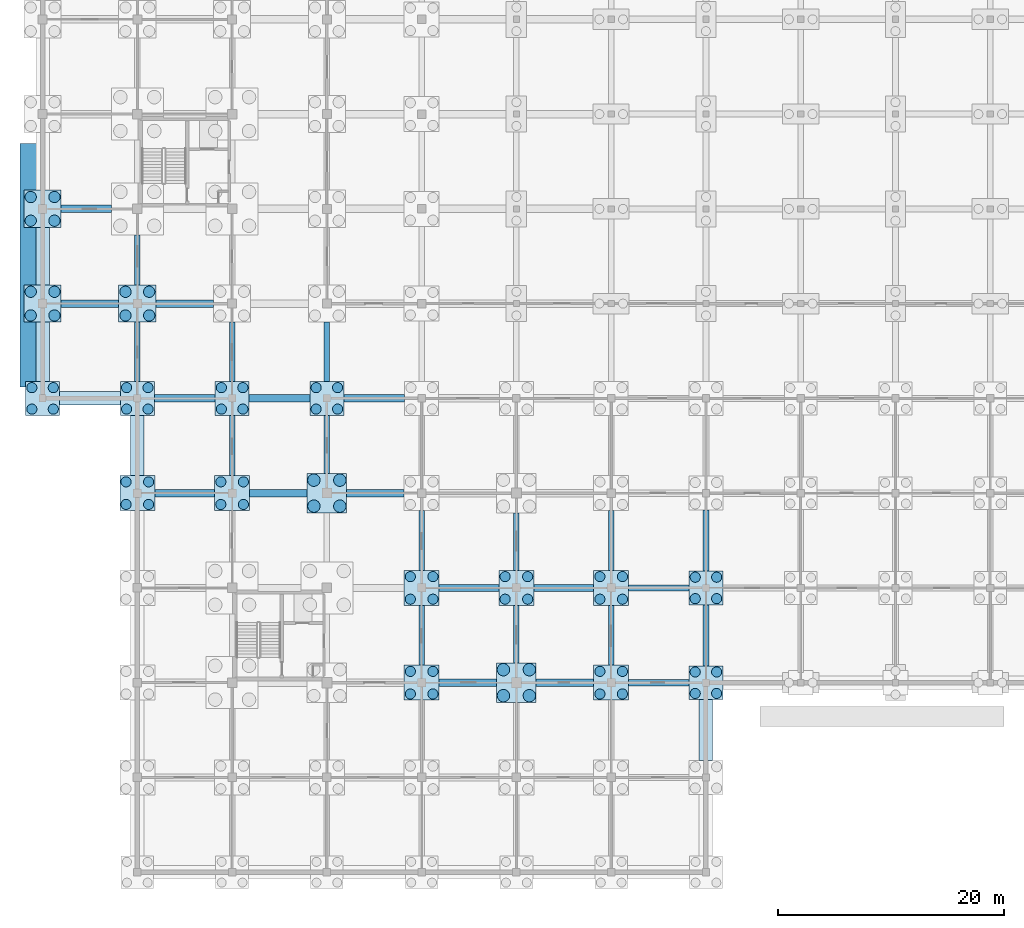
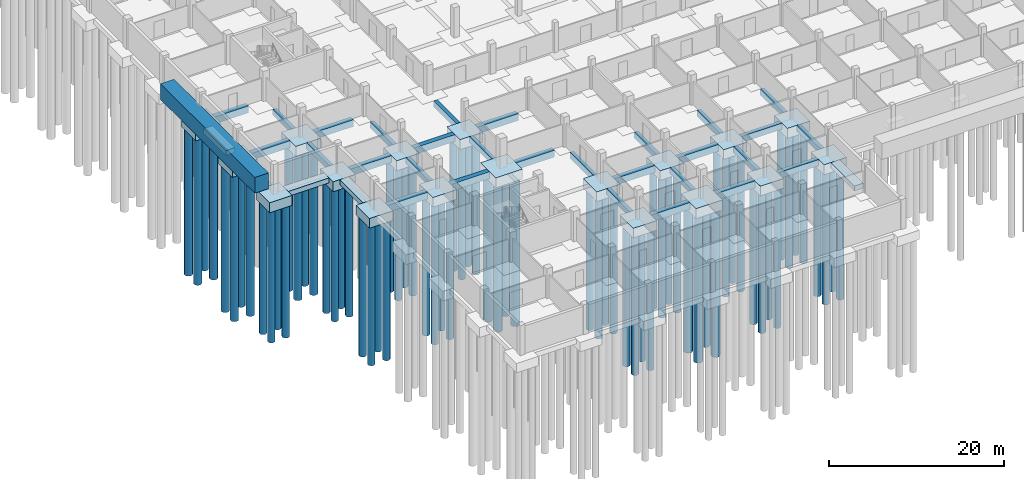
# One storey, part 2 of 43: 72 piles, 53 footings.
"""IFC4 building model written with IfcOpenShell, lengths in metres."""

from ifc_helpers import new_model, si_unit, direction, frame, origin, origin_2d, place, context, subcontext, project, spatial, rectangle, circle, extrude, material, material_profile, profile_set, type_object, element, save


model = new_model("IFC4")

# Units and contexts
model_context = context("Model", 3, precision=1e-05, world=origin(), true_north=direction((0.0, 1.0)))
body_context = subcontext(model_context, "Body", "Model", "MODEL_VIEW")
ifc_project = project(units=[si_unit("LENGTHUNIT", "METRE"), si_unit("AREAUNIT", "SQUARE_METRE"), si_unit("VOLUMEUNIT", "CUBIC_METRE"), si_unit("PLANEANGLEUNIT", "RADIAN"), si_unit("MASSUNIT", "GRAM", prefix="KILO")], contexts=[model_context])

# Site, building, storey
site_placement = place(None, origin())
site = spatial("IfcSite", under=ifc_project, at=site_placement, CompositionType="ELEMENT")
building_placement = place(site_placement, origin())
building = spatial("IfcBuilding", under=site, at=building_placement, Name="Varnapada Polytechnic", CompositionType="ELEMENT")
storey_placement = place(building_placement, frame((0.0, 0.0, -4.199951171875)))
storey = spatial("IfcBuildingStorey", under=building, at=storey_placement, Name="B1", CompositionType="ELEMENT", Elevation=-4.199951171875)

# Piles
ifc_material = material(Name="Concrete C40/50", Category="concrete")
ifc_material_profile_1 = material_profile(ifc_material, circle(Radius=0.5, at=origin_2d()), Name="BP 1000")
ifc_profile_set_1 = profile_set([ifc_material_profile_1], Name="Concrete C40/50")
pile_type_1 = type_object("IfcPileType", Name="Bored Pile BP 1000", PredefinedType="BORED", material=ifc_profile_set_1)
for number, where, z_axis, x_axis, name in (
    (1, (-1.050048828125, 49.35009765625, -1.300048828125), (0.0, 0.0, -1.0), (1.0, 0.0, 0.0), "Bored pile P-01 under CAP-00-06 (1)"),
    (2, (1.050048828125, 49.35009765625, -1.300048828125), (0.0, 0.0, -1.0), (1.0, 0.0, 0.0), "Bored pile P-01 under CAP-00-06 (2)"),
    (3, (-1.050048828125, 51.449951171875, -1.300048828125), (0.0, 0.0, -1.0), (1.0, 0.0, 0.0), "Bored pile P-01 under CAP-00-06 (3)"),
    (4, (1.050048828125, 51.449951171875, -1.300048828125), (0.0, 0.0, -1.0), (1.0, 0.0, 0.0), "Bored pile P-01 under CAP-00-06 (4)"),
    (5, (-1.050048828125, 57.75, -1.300048828125), (0.0, 0.0, -1.0), (1.0, 0.0, 0.0), "Bored pile P-01 under CAP-00-07 (1)"),
    (6, (1.050048828125, 57.75, -1.300048828125), (0.0, 0.0, -1.0), (1.0, 0.0, 0.0), "Bored pile P-01 under CAP-00-07 (2)"),
    (7, (-1.050048828125, 59.85009765625, -1.300048828125), (0.0, 0.0, -1.0), (1.0, 0.0, 0.0), "Bored pile P-01 under CAP-00-07 (3)"),
    (8, (1.050048828125, 59.85009765625, -1.300048828125), (0.0, 0.0, -1.0), (1.0, 0.0, 0.0), "Bored pile P-01 under CAP-00-07 (4)"),
    (9, (7.35009765625, 49.35009765625, -1.300048828125), (0.0, 0.0, -1.0), (1.0, 0.0, 0.0), "Bored pile P-01 under CAP-01-06 (1)"),
    (10, (9.449951171875, 49.35009765625, -1.300048828125), (0.0, 0.0, -1.0), (1.0, 0.0, 0.0), "Bored pile P-01 under CAP-01-06 (2)"),
    (11, (7.35009765625, 51.449951171875, -1.300048828125), (0.0, 0.0, -1.0), (1.0, 0.0, 0.0), "Bored pile P-01 under CAP-01-06 (3)"),
    (12, (9.449951171875, 51.449951171875, -1.300048828125), (0.0, 0.0, -1.0), (1.0, 0.0, 0.0), "Bored pile P-01 under CAP-01-06 (4)"),
):
    element("IfcPile", number, at=place(storey_placement, frame(where, z_axis=z_axis, x_axis=x_axis)), inside=storey, type_object=pile_type_1, Name=name, PredefinedType="BORED", context=body_context, shape_type="SweptSolid", body=[
        extrude(circle(Radius=0.5, at=origin_2d()), origin(), (0.0, 0.0, 1.0), 20.5),
    ])
ifc_material_profile_2 = material_profile(ifc_material, circle(Radius=0.550048828125, at=origin_2d()), Name="BP 1100")
ifc_profile_set_2 = profile_set([ifc_material_profile_2], Name="Concrete C40/50")
pile_type_2 = type_object("IfcPileType", Name="Bored Pile BP 1100", PredefinedType="BORED", material=ifc_profile_set_2)
for number, where, z_axis, x_axis, name in (
    (13, (24.050048828125, 32.449951171875, -1.300048828125), (0.0, 0.0, -1.0), (1.0, 0.0, 0.0), "Bored pile P-04 under CAP-03-04 (1)"),
    (14, (26.35009765625, 32.449951171875, -1.300048828125), (0.0, 0.0, -1.0), (1.0, 0.0, 0.0), "Bored pile P-04 under CAP-03-04 (2)"),
    (15, (24.050048828125, 34.75, -1.300048828125), (0.0, 0.0, -1.0), (1.0, 0.0, 0.0), "Bored pile P-04 under CAP-03-04 (3)"),
    (16, (26.35009765625, 34.75, -1.300048828125), (0.0, 0.0, -1.0), (1.0, 0.0, 0.0), "Bored pile P-04 under CAP-03-04 (4)"),
    (17, (40.85009765625, 15.64990234375, -1.300048828125), (0.0, 0.0, -1.0), (1.0, 0.0, 0.0), "Bored pile P-04 under CAP-05-02 (1)"),
    (18, (43.14990234375, 15.64990234375, -1.300048828125), (0.0, 0.0, -1.0), (1.0, 0.0, 0.0), "Bored pile P-04 under CAP-05-02 (2)"),
    (19, (40.85009765625, 17.949951171875, -1.300048828125), (0.0, 0.0, -1.0), (1.0, 0.0, 0.0), "Bored pile P-04 under CAP-05-02 (3)"),
    (20, (43.14990234375, 17.949951171875, -1.300048828125), (0.0, 0.0, -1.0), (1.0, 0.0, 0.0), "Bored pile P-04 under CAP-05-02 (4)"),
):
    element("IfcPile", number, at=place(storey_placement, frame(where, z_axis=z_axis, x_axis=x_axis)), inside=storey, type_object=pile_type_2, Name=name, PredefinedType="BORED", context=body_context, shape_type="SweptSolid", body=[
        extrude(circle(Radius=0.550048828125, at=origin_2d()), origin(), (0.0, 0.0, 1.0), 20.5),
    ])
ifc_material_profile_3 = material_profile(ifc_material, circle(Radius=0.449951171875, at=origin_2d()), Name="BP 900")
ifc_profile_set_3 = profile_set([ifc_material_profile_3], Name="Concrete C40/50")
pile_type_3 = type_object("IfcPileType", Name="Bored Pile BP 900", PredefinedType="BORED", material=ifc_profile_set_3)
for number, where, z_axis, x_axis, name in (
    (21, (-0.949951171875, 41.050048828125, -1.300048828125), (0.0, 0.0, -1.0), (1.0, 0.0, 0.0), "Bored pile P-02 under CAP-00-05 (1)"),
    (22, (0.949951171875, 41.050048828125, -1.300048828125), (0.0, 0.0, -1.0), (1.0, 0.0, 0.0), "Bored pile P-02 under CAP-00-05 (2)"),
    (23, (-0.949951171875, 42.949951171875, -1.300048828125), (0.0, 0.0, -1.0), (1.0, 0.0, 0.0), "Bored pile P-02 under CAP-00-05 (3)"),
    (24, (0.949951171875, 42.949951171875, -1.300048828125), (0.0, 0.0, -1.0), (1.0, 0.0, 0.0), "Bored pile P-02 under CAP-00-05 (4)"),
):
    element("IfcPile", number, at=place(storey_placement, frame(where, z_axis=z_axis, x_axis=x_axis)), inside=storey, type_object=pile_type_3, Name=name, PredefinedType="BORED", context=body_context, shape_type="SweptSolid", body=[
        extrude(circle(Radius=0.449951171875, at=origin_2d()), origin(), (0.0, 0.0, 1.0), 18.5),
    ])
for number, where, z_axis, x_axis, name in (
    (25, (7.39990234375, 32.60009765625, -1.25), (0.0, 0.0, -1.0), (1.0, 0.0, 0.0), "Bored pile P-02 under CAP-01-04 (1)"),
    (26, (9.39990234375, 32.60009765625, -1.25), (0.0, 0.0, -1.0), (1.0, 0.0, 0.0), "Bored pile P-02 under CAP-01-04 (2)"),
    (27, (7.39990234375, 34.60009765625, -1.25), (0.0, 0.0, -1.0), (1.0, 0.0, 0.0), "Bored pile P-02 under CAP-01-04 (3)"),
    (28, (9.39990234375, 34.60009765625, -1.25), (0.0, 0.0, -1.0), (1.0, 0.0, 0.0), "Bored pile P-02 under CAP-01-04 (4)"),
):
    element("IfcPile", number, at=place(storey_placement, frame(where, z_axis=z_axis, x_axis=x_axis)), inside=storey, type_object=pile_type_3, Name=name, PredefinedType="BORED", context=body_context, shape_type="SweptSolid", body=[
        extrude(circle(Radius=0.449951171875, at=origin_2d()), origin(), (0.0, 0.0, 1.0), 19.550048828125),
    ])
for number, where, z_axis, x_axis, name in (
    (29, (7.449951171875, 41.050048828125, -1.300048828125), (0.0, 0.0, -1.0), (1.0, 0.0, 0.0), "Bored pile P-02 under CAP-01-05 (1)"),
    (30, (9.35009765625, 41.050048828125, -1.300048828125), (0.0, 0.0, -1.0), (1.0, 0.0, 0.0), "Bored pile P-02 under CAP-01-05 (2)"),
    (31, (7.449951171875, 42.949951171875, -1.300048828125), (0.0, 0.0, -1.0), (1.0, 0.0, 0.0), "Bored pile P-02 under CAP-01-05 (3)"),
    (32, (9.35009765625, 42.949951171875, -1.300048828125), (0.0, 0.0, -1.0), (1.0, 0.0, 0.0), "Bored pile P-02 under CAP-01-05 (4)"),
):
    element("IfcPile", number, at=place(storey_placement, frame(where, z_axis=z_axis, x_axis=x_axis)), inside=storey, type_object=pile_type_3, Name=name, PredefinedType="BORED", context=body_context, shape_type="SweptSolid", body=[
        extrude(circle(Radius=0.449951171875, at=origin_2d()), origin(), (0.0, 0.0, 1.0), 18.5),
    ])
for number, where, z_axis, x_axis, name in (
    (33, (15.800048828125, 32.60009765625, -1.25), (0.0, 0.0, -1.0), (1.0, 0.0, 0.0), "Bored pile P-02 under CAP-02-04 (1)"),
    (34, (17.800048828125, 32.60009765625, -1.25), (0.0, 0.0, -1.0), (1.0, 0.0, 0.0), "Bored pile P-02 under CAP-02-04 (2)"),
    (35, (15.800048828125, 34.60009765625, -1.25), (0.0, 0.0, -1.0), (1.0, 0.0, 0.0), "Bored pile P-02 under CAP-02-04 (3)"),
    (36, (17.800048828125, 34.60009765625, -1.25), (0.0, 0.0, -1.0), (1.0, 0.0, 0.0), "Bored pile P-02 under CAP-02-04 (4)"),
):
    element("IfcPile", number, at=place(storey_placement, frame(where, z_axis=z_axis, x_axis=x_axis)), inside=storey, type_object=pile_type_3, Name=name, PredefinedType="BORED", context=body_context, shape_type="SweptSolid", body=[
        extrude(circle(Radius=0.449951171875, at=origin_2d()), origin(), (0.0, 0.0, 1.0), 19.550048828125),
    ])
for number, where, z_axis, x_axis, name in (
    (37, (15.85009765625, 41.050048828125, -1.300048828125), (0.0, 0.0, -1.0), (1.0, 0.0, 0.0), "Bored pile P-02 under CAP-02-05 (1)"),
    (38, (17.75, 41.050048828125, -1.300048828125), (0.0, 0.0, -1.0), (1.0, 0.0, 0.0), "Bored pile P-02 under CAP-02-05 (2)"),
    (39, (15.85009765625, 42.949951171875, -1.300048828125), (0.0, 0.0, -1.0), (1.0, 0.0, 0.0), "Bored pile P-02 under CAP-02-05 (3)"),
    (40, (17.75, 42.949951171875, -1.300048828125), (0.0, 0.0, -1.0), (1.0, 0.0, 0.0), "Bored pile P-02 under CAP-02-05 (4)"),
    (41, (24.25, 41.050048828125, -1.300048828125), (0.0, 0.0, -1.0), (1.0, 0.0, 0.0), "Bored pile P-02 under CAP-03-05 (1)"),
    (42, (26.14990234375, 41.050048828125, -1.300048828125), (0.0, 0.0, -1.0), (1.0, 0.0, 0.0), "Bored pile P-02 under CAP-03-05 (2)"),
    (43, (24.25, 42.949951171875, -1.300048828125), (0.0, 0.0, -1.0), (1.0, 0.0, 0.0), "Bored pile P-02 under CAP-03-05 (3)"),
    (44, (26.14990234375, 42.949951171875, -1.300048828125), (0.0, 0.0, -1.0), (1.0, 0.0, 0.0), "Bored pile P-02 under CAP-03-05 (4)"),
):
    element("IfcPile", number, at=place(storey_placement, frame(where, z_axis=z_axis, x_axis=x_axis)), inside=storey, type_object=pile_type_3, Name=name, PredefinedType="BORED", context=body_context, shape_type="SweptSolid", body=[
        extrude(circle(Radius=0.449951171875, at=origin_2d()), origin(), (0.0, 0.0, 1.0), 18.5),
    ])
for number, where, z_axis, x_axis, name in (
    (45, (32.60009765625, 15.800048828125, -1.25), (0.0, 0.0, -1.0), (1.0, 0.0, 0.0), "Bored pile P-02 under CAP-04-02 (1)"),
    (46, (34.60009765625, 15.800048828125, -1.25), (0.0, 0.0, -1.0), (1.0, 0.0, 0.0), "Bored pile P-02 under CAP-04-02 (2)"),
    (47, (32.60009765625, 17.800048828125, -1.25), (0.0, 0.0, -1.0), (1.0, 0.0, 0.0), "Bored pile P-02 under CAP-04-02 (3)"),
    (48, (34.60009765625, 17.800048828125, -1.25), (0.0, 0.0, -1.0), (1.0, 0.0, 0.0), "Bored pile P-02 under CAP-04-02 (4)"),
    (49, (32.60009765625, 24.199951171875, -1.25), (0.0, 0.0, -1.0), (1.0, 0.0, 0.0), "Bored pile P-02 under CAP-04-03 (1)"),
    (50, (34.60009765625, 24.199951171875, -1.25), (0.0, 0.0, -1.0), (1.0, 0.0, 0.0), "Bored pile P-02 under CAP-04-03 (2)"),
    (51, (32.60009765625, 26.199951171875, -1.25), (0.0, 0.0, -1.0), (1.0, 0.0, 0.0), "Bored pile P-02 under CAP-04-03 (3)"),
    (52, (34.60009765625, 26.199951171875, -1.25), (0.0, 0.0, -1.0), (1.0, 0.0, 0.0), "Bored pile P-02 under CAP-04-03 (4)"),
    (53, (41.0, 24.199951171875, -1.25), (0.0, 0.0, -1.0), (1.0, 0.0, 0.0), "Bored pile P-02 under CAP-05-03 (1)"),
    (54, (43.0, 24.199951171875, -1.25), (0.0, 0.0, -1.0), (1.0, 0.0, 0.0), "Bored pile P-02 under CAP-05-03 (2)"),
    (55, (41.0, 26.199951171875, -1.25), (0.0, 0.0, -1.0), (1.0, 0.0, 0.0), "Bored pile P-02 under CAP-05-03 (3)"),
    (56, (43.0, 26.199951171875, -1.25), (0.0, 0.0, -1.0), (1.0, 0.0, 0.0), "Bored pile P-02 under CAP-05-03 (4)"),
    (57, (49.39990234375, 15.800048828125, -1.25), (0.0, 0.0, -1.0), (1.0, 0.0, 0.0), "Bored pile P-02 under CAP-06-02 (1)"),
    (58, (51.39990234375, 15.800048828125, -1.25), (0.0, 0.0, -1.0), (1.0, 0.0, 0.0), "Bored pile P-02 under CAP-06-02 (2)"),
    (59, (49.39990234375, 17.800048828125, -1.25), (0.0, 0.0, -1.0), (1.0, 0.0, 0.0), "Bored pile P-02 under CAP-06-02 (3)"),
    (60, (51.39990234375, 17.800048828125, -1.25), (0.0, 0.0, -1.0), (1.0, 0.0, 0.0), "Bored pile P-02 under CAP-06-02 (4)"),
    (61, (49.39990234375, 24.199951171875, -1.25), (0.0, 0.0, -1.0), (1.0, 0.0, 0.0), "Bored pile P-02 under CAP-06-03 (1)"),
    (62, (51.39990234375, 24.199951171875, -1.25), (0.0, 0.0, -1.0), (1.0, 0.0, 0.0), "Bored pile P-02 under CAP-06-03 (2)"),
    (63, (49.39990234375, 26.199951171875, -1.25), (0.0, 0.0, -1.0), (1.0, 0.0, 0.0), "Bored pile P-02 under CAP-06-03 (3)"),
    (64, (51.39990234375, 26.199951171875, -1.25), (0.0, 0.0, -1.0), (1.0, 0.0, 0.0), "Bored pile P-02 under CAP-06-03 (4)"),
):
    element("IfcPile", number, at=place(storey_placement, frame(where, z_axis=z_axis, x_axis=x_axis)), inside=storey, type_object=pile_type_3, Name=name, PredefinedType="BORED", context=body_context, shape_type="SweptSolid", body=[
        extrude(circle(Radius=0.449951171875, at=origin_2d()), origin(), (0.0, 0.0, 1.0), 19.550048828125),
    ])
for number, where, z_axis, x_axis, name in (
    (65, (57.85009765625, 15.85009765625, -1.300048828125), (0.0, 0.0, -1.0), (1.0, 0.0, 0.0), "Bored pile P-02 under CAP-07-02 (1)"),
    (66, (59.75, 15.85009765625, -1.300048828125), (0.0, 0.0, -1.0), (1.0, 0.0, 0.0), "Bored pile P-02 under CAP-07-02 (2)"),
    (67, (57.85009765625, 17.75, -1.300048828125), (0.0, 0.0, -1.0), (1.0, 0.0, 0.0), "Bored pile P-02 under CAP-07-02 (3)"),
    (68, (59.75, 17.75, -1.300048828125), (0.0, 0.0, -1.0), (1.0, 0.0, 0.0), "Bored pile P-02 under CAP-07-02 (4)"),
    (69, (57.85009765625, 24.25, -1.300048828125), (0.0, 0.0, -1.0), (1.0, 0.0, 0.0), "Bored pile P-02 under CAP-07-03 (1)"),
    (70, (59.75, 24.25, -1.300048828125), (0.0, 0.0, -1.0), (1.0, 0.0, 0.0), "Bored pile P-02 under CAP-07-03 (2)"),
    (71, (57.85009765625, 26.14990234375, -1.300048828125), (0.0, 0.0, -1.0), (1.0, 0.0, 0.0), "Bored pile P-02 under CAP-07-03 (3)"),
    (72, (59.75, 26.14990234375, -1.300048828125), (0.0, 0.0, -1.0), (1.0, 0.0, 0.0), "Bored pile P-02 under CAP-07-03 (4)"),
):
    element("IfcPile", number, at=place(storey_placement, frame(where, z_axis=z_axis, x_axis=x_axis)), inside=storey, type_object=pile_type_3, Name=name, PredefinedType="BORED", context=body_context, shape_type="SweptSolid", body=[
        extrude(circle(Radius=0.449951171875, at=origin_2d()), origin(), (0.0, 0.0, 1.0), 18.5),
    ])

# Footings
footing_type_1 = type_object("IfcFootingType", Name="Footing GB-02", PredefinedType="FOOTING_BEAM", material=ifc_material)
footing_1_placement = place(storey_placement, frame((8.39990234375, 46.125, -0.80029296875), z_axis=(0.0, 0.0, 1.0), x_axis=(0.0, 1.0, 0.0)))
element("IfcFooting", 73, at=footing_1_placement, inside=storey, type_object=footing_type_1, Name="Ground footing beam GB-02 Y 6-7", PredefinedType="FOOTING_BEAM", context=body_context, shape_type="SweptSolid", body=[
    extrude(rectangle(XDim=5.25, YDim=0.5, at=origin_2d()), origin(), (0.0, 0.0, 1.0), 0.800048828125),
])
footing_2_placement = place(storey_placement, frame((8.39990234375, 54.27490234375, -0.80029296875), z_axis=(0.0, 0.0, 1.0), x_axis=(0.0, 1.0, 0.0)))
element("IfcFooting", 74, at=footing_2_placement, inside=storey, type_object=footing_type_1, Name="Ground footing beam GB-02 Y 7-8", PredefinedType="FOOTING_BEAM", context=body_context, shape_type="SweptSolid", body=[
    extrude(rectangle(XDim=4.449951171875, YDim=0.5, at=origin_2d()), origin(), (0.0, 0.0, 1.0), 0.800048828125),
])
footing_3_placement = place(storey_placement, frame((16.800048828125, 37.824951171875, -0.80029296875), z_axis=(0.0, 0.0, 1.0), x_axis=(0.0, 1.0, 0.0)))
element("IfcFooting", 75, at=footing_3_placement, inside=storey, type_object=footing_type_1, Name="Ground footing beam GB-02 Y 5-6", PredefinedType="FOOTING_BEAM", context=body_context, shape_type="SweptSolid", body=[
    extrude(rectangle(XDim=5.35009765625, YDim=0.5, at=origin_2d()), origin(), (0.0, 0.0, 1.0), 0.800048828125),
])
footing_4_placement = place(storey_placement, frame((16.800048828125, 46.125, -0.80029296875), z_axis=(0.0, 0.0, 1.0), x_axis=(0.0, 1.0, 0.0)))
element("IfcFooting", 76, at=footing_4_placement, inside=storey, type_object=footing_type_1, Name="Ground footing beam GB-02 Y 6-7", PredefinedType="FOOTING_BEAM", context=body_context, shape_type="SweptSolid", body=[
    extrude(rectangle(XDim=5.25, YDim=0.5, at=origin_2d()), origin(), (0.0, 0.0, 1.0), 0.800048828125),
])
footing_5_placement = place(storey_placement, frame((25.199951171875, 37.925048828125, -0.80029296875), z_axis=(0.0, 0.0, 1.0), x_axis=(0.0, 1.0, 0.0)))
element("IfcFooting", 77, at=footing_5_placement, inside=storey, type_object=footing_type_1, Name="Ground footing beam GB-02 Y 5-6", PredefinedType="FOOTING_BEAM", context=body_context, shape_type="SweptSolid", body=[
    extrude(rectangle(XDim=5.14990234375, YDim=0.5, at=origin_2d()), origin(), (0.0, 0.0, 1.0), 0.800048828125),
])
footing_6_placement = place(storey_placement, frame((25.199951171875, 46.125, -0.80029296875), z_axis=(0.0, 0.0, 1.0), x_axis=(0.0, 1.0, 0.0)))
element("IfcFooting", 78, at=footing_6_placement, inside=storey, type_object=footing_type_1, Name="Ground footing beam GB-02 Y 6-7", PredefinedType="FOOTING_BEAM", context=body_context, shape_type="SweptSolid", body=[
    extrude(rectangle(XDim=5.25, YDim=0.5, at=origin_2d()), origin(), (0.0, 0.0, 1.0), 0.800048828125),
])
for number, where, z_axis, x_axis, name in (
    (79, (33.60009765625, 21.0, -0.80029296875), (0.0, 0.0, 1.0), (0.0, 1.0, 0.0), "Ground footing beam GB-02 Y 3-4"),
    (80, (33.60009765625, 29.39990234375, -0.80029296875), (0.0, 0.0, 1.0), (0.0, 1.0, 0.0), "Ground footing beam GB-02 Y 4-5"),
):
    element("IfcFooting", number, at=place(storey_placement, frame(where, z_axis=z_axis, x_axis=x_axis)), inside=storey, type_object=footing_type_1, Name=name, PredefinedType="FOOTING_BEAM", context=body_context, shape_type="SweptSolid", body=[
        extrude(rectangle(XDim=5.300048828125, YDim=0.5, at=origin_2d()), origin(), (0.0, 0.0, 1.0), 0.800048828125),
    ])
for number, where, z_axis, x_axis, name in (
    (81, (42.0, 21.10009765625, -0.80029296875), (0.0, 0.0, 1.0), (0.0, 1.0, 0.0), "Ground footing beam GB-02 Y 3-4"),
    (82, (42.0, 29.300048828125, -0.80029296875), (0.0, 0.0, 1.0), (0.0, 1.0, 0.0), "Ground footing beam GB-02 Y 4-5"),
):
    element("IfcFooting", number, at=place(storey_placement, frame(where, z_axis=z_axis, x_axis=x_axis)), inside=storey, type_object=footing_type_1, Name=name, PredefinedType="FOOTING_BEAM", context=body_context, shape_type="SweptSolid", body=[
        extrude(rectangle(XDim=5.10009765625, YDim=0.5, at=origin_2d()), origin(), (0.0, 0.0, 1.0), 0.800048828125),
    ])
for number, where, z_axis, x_axis, name in (
    (83, (50.39990234375, 21.0, -0.80029296875), (0.0, 0.0, 1.0), (0.0, 1.0, 0.0), "Ground footing beam GB-02 Y 3-4"),
    (84, (50.39990234375, 29.39990234375, -0.80029296875), (0.0, 0.0, 1.0), (0.0, 1.0, 0.0), "Ground footing beam GB-02 Y 4-5"),
):
    element("IfcFooting", number, at=place(storey_placement, frame(where, z_axis=z_axis, x_axis=x_axis)), inside=storey, type_object=footing_type_1, Name=name, PredefinedType="FOOTING_BEAM", context=body_context, shape_type="SweptSolid", body=[
        extrude(rectangle(XDim=5.300048828125, YDim=0.5, at=origin_2d()), origin(), (0.0, 0.0, 1.0), 0.800048828125),
    ])
for number, where, z_axis, x_axis, name in (
    (85, (58.800048828125, 21.0, -0.80029296875), (0.0, 0.0, 1.0), (0.0, 1.0, 0.0), "Ground footing beam GB-02 Y 3-4"),
    (86, (58.800048828125, 29.39990234375, -0.80029296875), (0.0, 0.0, 1.0), (0.0, 1.0, 0.0), "Ground footing beam GB-02 Y 4-5"),
):
    element("IfcFooting", number, at=place(storey_placement, frame(where, z_axis=z_axis, x_axis=x_axis)), inside=storey, type_object=footing_type_1, Name=name, PredefinedType="FOOTING_BEAM", context=body_context, shape_type="SweptSolid", body=[
        extrude(rectangle(XDim=5.39990234375, YDim=0.5, at=origin_2d()), origin(), (0.0, 0.0, 1.0), 0.800048828125),
    ])
footing_type_2 = type_object("IfcFootingType", Name="Footing GB-03", PredefinedType="FOOTING_BEAM", material=ifc_material)
footing_7_placement = place(storey_placement, frame((4.199951171875, 50.39990234375, -0.9501953125), z_axis=(0.0, 0.0, 1.0), x_axis=(1.0, 0.0, 0.0)))
element("IfcFooting", 87, at=footing_7_placement, inside=storey, type_object=footing_type_2, Name="Ground footing beam GB-03 X 1-2", PredefinedType="FOOTING_BEAM", context=body_context, shape_type="SweptSolid", body=[
    extrude(rectangle(XDim=5.10009765625, YDim=0.64990234375, at=origin_2d()), origin(), (0.0, 0.0, 1.0), 0.949951171875),
])
footing_8_placement = place(storey_placement, frame((3.875, 58.800048828125, -0.9501953125), z_axis=(0.0, 0.0, 1.0), x_axis=(1.0, 0.0, 0.0)))
element("IfcFooting", 88, at=footing_8_placement, inside=storey, type_object=footing_type_2, Name="Ground footing beam GB-03 X 1-2", PredefinedType="FOOTING_BEAM", context=body_context, shape_type="SweptSolid", body=[
    extrude(rectangle(XDim=4.449951171875, YDim=0.64990234375, at=origin_2d()), origin(), (0.0, 0.0, 1.0), 0.949951171875),
])
footing_9_placement = place(storey_placement, frame((12.60009765625, 33.60009765625, -0.9501953125), z_axis=(0.0, 0.0, 1.0), x_axis=(1.0, 0.0, 0.0)))
element("IfcFooting", 89, at=footing_9_placement, inside=storey, type_object=footing_type_2, Name="Ground footing beam GB-03 X 2-3", PredefinedType="FOOTING_BEAM", context=body_context, shape_type="SweptSolid", body=[
    extrude(rectangle(XDim=5.300048828125, YDim=0.64990234375, at=origin_2d()), origin(), (0.0, 0.0, 1.0), 0.949951171875),
])
footing_10_placement = place(storey_placement, frame((12.60009765625, 42.0, -0.9501953125), z_axis=(0.0, 0.0, 1.0), x_axis=(1.0, 0.0, 0.0)))
element("IfcFooting", 90, at=footing_10_placement, inside=storey, type_object=footing_type_2, Name="Ground footing beam GB-03 X 2-3", PredefinedType="FOOTING_BEAM", context=body_context, shape_type="SweptSolid", body=[
    extrude(rectangle(XDim=5.39990234375, YDim=0.64990234375, at=origin_2d()), origin(), (0.0, 0.0, 1.0), 0.949951171875),
])
for number, where, z_axis, x_axis, name in (
    (91, (12.60009765625, 50.39990234375, -0.9501953125), (0.0, 0.0, 1.0), (1.0, 0.0, 0.0), "Ground footing beam GB-03 X 2-3"),
    (92, (20.89990234375, 33.60009765625, -0.9501953125), (0.0, 0.0, 1.0), (1.0, 0.0, 0.0), "Ground footing beam GB-03 X 3-4"),
):
    element("IfcFooting", number, at=place(storey_placement, frame(where, z_axis=z_axis, x_axis=x_axis)), inside=storey, type_object=footing_type_2, Name=name, PredefinedType="FOOTING_BEAM", context=body_context, shape_type="SweptSolid", body=[
        extrude(rectangle(XDim=5.10009765625, YDim=0.64990234375, at=origin_2d()), origin(), (0.0, 0.0, 1.0), 0.949951171875),
    ])
footing_11_placement = place(storey_placement, frame((21.0, 42.0, -0.9501953125), z_axis=(0.0, 0.0, 1.0), x_axis=(1.0, 0.0, 0.0)))
element("IfcFooting", 93, at=footing_11_placement, inside=storey, type_object=footing_type_2, Name="Ground footing beam GB-03 X 3-4", PredefinedType="FOOTING_BEAM", context=body_context, shape_type="SweptSolid", body=[
    extrude(rectangle(XDim=5.39990234375, YDim=0.64990234375, at=origin_2d()), origin(), (0.0, 0.0, 1.0), 0.949951171875),
])
footing_12_placement = place(storey_placement, frame((29.5, 33.60009765625, -0.9501953125), z_axis=(0.0, 0.0, 1.0), x_axis=(1.0, 0.0, 0.0)))
element("IfcFooting", 94, at=footing_12_placement, inside=storey, type_object=footing_type_2, Name="Ground footing beam GB-03 X 4-5", PredefinedType="FOOTING_BEAM", context=body_context, shape_type="SweptSolid", body=[
    extrude(rectangle(XDim=5.10009765625, YDim=0.64990234375, at=origin_2d()), origin(), (0.0, 0.0, 1.0), 0.949951171875),
])
footing_13_placement = place(storey_placement, frame((29.39990234375, 42.0, -0.9501953125), z_axis=(0.0, 0.0, 1.0), x_axis=(1.0, 0.0, 0.0)))
element("IfcFooting", 95, at=footing_13_placement, inside=storey, type_object=footing_type_2, Name="Ground footing beam GB-03 X 4-5", PredefinedType="FOOTING_BEAM", context=body_context, shape_type="SweptSolid", body=[
    extrude(rectangle(XDim=5.39990234375, YDim=0.64990234375, at=origin_2d()), origin(), (0.0, 0.0, 1.0), 0.949951171875),
])
footing_14_placement = place(storey_placement, frame((37.699951171875, 16.800048828125, -0.9501953125), z_axis=(0.0, 0.0, 1.0), x_axis=(1.0, 0.0, 0.0)))
element("IfcFooting", 96, at=footing_14_placement, inside=storey, type_object=footing_type_2, Name="Ground footing beam GB-03 X 5-6", PredefinedType="FOOTING_BEAM", context=body_context, shape_type="SweptSolid", body=[
    extrude(rectangle(XDim=5.10009765625, YDim=0.64990234375, at=origin_2d()), origin(), (0.0, 0.0, 1.0), 0.949951171875),
])
footing_15_placement = place(storey_placement, frame((37.800048828125, 25.199951171875, -0.9501953125), z_axis=(0.0, 0.0, 1.0), x_axis=(1.0, 0.0, 0.0)))
element("IfcFooting", 97, at=footing_15_placement, inside=storey, type_object=footing_type_2, Name="Ground footing beam GB-03 X 5-6", PredefinedType="FOOTING_BEAM", context=body_context, shape_type="SweptSolid", body=[
    extrude(rectangle(XDim=5.300048828125, YDim=0.64990234375, at=origin_2d()), origin(), (0.0, 0.0, 1.0), 0.949951171875),
])
footing_16_placement = place(storey_placement, frame((46.300048828125, 16.800048828125, -0.9501953125), z_axis=(0.0, 0.0, 1.0), x_axis=(1.0, 0.0, 0.0)))
element("IfcFooting", 98, at=footing_16_placement, inside=storey, type_object=footing_type_2, Name="Ground footing beam GB-03 X 6-7", PredefinedType="FOOTING_BEAM", context=body_context, shape_type="SweptSolid", body=[
    extrude(rectangle(XDim=5.10009765625, YDim=0.64990234375, at=origin_2d()), origin(), (0.0, 0.0, 1.0), 0.949951171875),
])
footing_17_placement = place(storey_placement, frame((46.199951171875, 25.199951171875, -0.9501953125), z_axis=(0.0, 0.0, 1.0), x_axis=(1.0, 0.0, 0.0)))
element("IfcFooting", 99, at=footing_17_placement, inside=storey, type_object=footing_type_2, Name="Ground footing beam GB-03 X 6-7", PredefinedType="FOOTING_BEAM", context=body_context, shape_type="SweptSolid", body=[
    extrude(rectangle(XDim=5.300048828125, YDim=0.64990234375, at=origin_2d()), origin(), (0.0, 0.0, 1.0), 0.949951171875),
])
footing_type_3 = type_object("IfcFootingType", Name="Footing GB-04", PredefinedType="FOOTING_BEAM", material=ifc_material)
for number, where, z_axis, x_axis, name in (
    (100, (54.625, 16.800048828125, -0.85009765625), (0.0, 0.0, 1.0), (1.0, 0.0, 0.0), "Ground footing beam GB-04 X 7-8"),
    (101, (54.625, 25.199951171875, -0.85009765625), (0.0, 0.0, 1.0), (1.0, 0.0, 0.0), "Ground footing beam GB-04 X 7-8"),
):
    element("IfcFooting", number, at=place(storey_placement, frame(where, z_axis=z_axis, x_axis=x_axis)), inside=storey, type_object=footing_type_3, Name=name, PredefinedType="FOOTING_BEAM", context=body_context, shape_type="SweptSolid", body=[
        extrude(rectangle(XDim=5.35009765625, YDim=0.550048828125, at=origin_2d()), origin(), (0.0, 0.0, 1.0), 0.85009765625),
    ])
footing_type_4 = type_object("IfcFootingType", Name="Footing PC-02", PredefinedType="PILE_CAP", material=ifc_material)
for number, where, z_axis, x_axis, name in (
    (102, (0.0, 50.39990234375, -1.39990234375), (0.0, 0.0, 1.0), (1.0, 0.0, 0.0), "Pile cap PC-02 at grid 1/7"),
    (103, (0.0, 58.800048828125, -1.39990234375), (0.0, 0.0, 1.0), (1.0, 0.0, 0.0), "Pile cap PC-02 at grid 1/8"),
    (104, (8.39990234375, 50.39990234375, -1.39990234375), (0.0, 0.0, 1.0), (1.0, 0.0, 0.0), "Pile cap PC-02 at grid 2/7"),
):
    element("IfcFooting", number, at=place(storey_placement, frame(where, z_axis=z_axis, x_axis=x_axis)), inside=storey, type_object=footing_type_4, Name=name, PredefinedType="PILE_CAP", context=body_context, shape_type="SweptSolid", body=[
        extrude(rectangle(XDim=3.300048828125, YDim=3.300048828125, at=origin_2d()), origin(), (0.0, 0.0, 1.0), 1.39990234375),
    ])
footing_type_5 = type_object("IfcFootingType", Name="Footing PC-03", PredefinedType="PILE_CAP", material=ifc_material)
for number, where, z_axis, x_axis, name in (
    (105, (0.0, 42.0, -1.39990234375), (0.0, 0.0, 1.0), (1.0, 0.0, 0.0), "Pile cap PC-03 at grid 1/6"),
    (106, (8.39990234375, 42.0, -1.39990234375), (0.0, 0.0, 1.0), (1.0, 0.0, 0.0), "Pile cap PC-03 at grid 2/6"),
    (107, (16.800048828125, 42.0, -1.39990234375), (0.0, 0.0, 1.0), (1.0, 0.0, 0.0), "Pile cap PC-03 at grid 3/6"),
    (108, (25.199951171875, 42.0, -1.39990234375), (0.0, 0.0, 1.0), (1.0, 0.0, 0.0), "Pile cap PC-03 at grid 4/6"),
    (109, (58.800048828125, 16.800048828125, -1.39990234375), (0.0, 0.0, 1.0), (1.0, 0.0, 0.0), "Pile cap PC-03 at grid 8/3"),
    (110, (58.800048828125, 25.199951171875, -1.39990234375), (0.0, 0.0, 1.0), (1.0, 0.0, 0.0), "Pile cap PC-03 at grid 8/4"),
):
    element("IfcFooting", number, at=place(storey_placement, frame(where, z_axis=z_axis, x_axis=x_axis)), inside=storey, type_object=footing_type_5, Name=name, PredefinedType="PILE_CAP", context=body_context, shape_type="SweptSolid", body=[
        extrude(rectangle(XDim=3.0, YDim=3.0, at=origin_2d()), origin(), (0.0, 0.0, 1.0), 1.39990234375),
    ])
footing_type_6 = type_object("IfcFootingType", Name="Footing PC-07", PredefinedType="PILE_CAP", material=ifc_material)
for number, where, z_axis, x_axis, name in (
    (111, (25.199951171875, 33.60009765625, -1.39990234375), (0.0, 0.0, 1.0), (1.0, 0.0, 0.0), "Pile cap PC-07 at grid 4/5"),
    (112, (42.0, 16.800048828125, -1.39990234375), (0.0, 0.0, 1.0), (1.0, 0.0, 0.0), "Pile cap PC-07 at grid 6/3"),
):
    element("IfcFooting", number, at=place(storey_placement, frame(where, z_axis=z_axis, x_axis=x_axis)), inside=storey, type_object=footing_type_6, Name=name, PredefinedType="PILE_CAP", context=body_context, shape_type="SweptSolid", body=[
        extrude(rectangle(XDim=3.5, YDim=3.5, at=origin_2d()), origin(), (0.0, 0.0, 1.0), 1.39990234375),
    ])
footing_type_7 = type_object("IfcFootingType", Name="Footing PC-08", PredefinedType="PILE_CAP", material=ifc_material)
for number, where, z_axis, x_axis, name in (
    (113, (8.39990234375, 33.60009765625, -1.35009765625), (0.0, 0.0, 1.0), (1.0, 0.0, 0.0), "Pile cap PC-08 at grid 2/5"),
    (114, (16.800048828125, 33.60009765625, -1.35009765625), (0.0, 0.0, 1.0), (1.0, 0.0, 0.0), "Pile cap PC-08 at grid 3/5"),
    (115, (33.60009765625, 16.800048828125, -1.35009765625), (0.0, 0.0, 1.0), (1.0, 0.0, 0.0), "Pile cap PC-08 at grid 5/3"),
    (116, (33.60009765625, 25.199951171875, -1.35009765625), (0.0, 0.0, 1.0), (1.0, 0.0, 0.0), "Pile cap PC-08 at grid 5/4"),
    (117, (42.0, 25.199951171875, -1.35009765625), (0.0, 0.0, 1.0), (1.0, 0.0, 0.0), "Pile cap PC-08 at grid 6/4"),
    (118, (50.39990234375, 16.800048828125, -1.35009765625), (0.0, 0.0, 1.0), (1.0, 0.0, 0.0), "Pile cap PC-08 at grid 7/3"),
    (119, (50.39990234375, 25.199951171875, -1.35009765625), (0.0, 0.0, 1.0), (1.0, 0.0, 0.0), "Pile cap PC-08 at grid 7/4"),
):
    element("IfcFooting", number, at=place(storey_placement, frame(where, z_axis=z_axis, x_axis=x_axis)), inside=storey, type_object=footing_type_7, Name=name, PredefinedType="PILE_CAP", context=body_context, shape_type="SweptSolid", body=[
        extrude(rectangle(XDim=3.10009765625, YDim=3.10009765625, at=origin_2d()), origin(), (0.0, 0.0, 1.0), 1.35009765625),
    ])
footing_type_8 = type_object("IfcFootingType", Name="Footing SF-01", PredefinedType="STRIP_FOOTING", material=ifc_material)
footing_18_placement = place(storey_placement, frame((4.199951171875, 42.0, -0.7001953125), z_axis=(0.0, 0.0, 1.0), x_axis=(1.0, 0.0, 0.0)))
element("IfcFooting", 120, at=footing_18_placement, inside=storey, type_object=footing_type_8, Name="Ground footing beam SF-01 X 1-2", PredefinedType="STRIP_FOOTING", context=body_context, shape_type="SweptSolid", body=[
    extrude(rectangle(XDim=5.39990234375, YDim=1.199951171875, at=origin_2d()), origin(), (0.0, 0.0, 1.0), 0.699951171875),
])
footing_19_placement = place(storey_placement, frame((0.0, 46.125, -0.7001953125), z_axis=(0.0, 0.0, 1.0), x_axis=(0.0, 1.0, 0.0)))
element("IfcFooting", 121, at=footing_19_placement, inside=storey, type_object=footing_type_8, Name="Ground footing beam SF-01 Y 6-7", PredefinedType="STRIP_FOOTING", context=body_context, shape_type="SweptSolid", body=[
    extrude(rectangle(XDim=5.25, YDim=1.199951171875, at=origin_2d()), origin(), (0.0, 0.0, 1.0), 0.699951171875),
])
footing_20_placement = place(storey_placement, frame((0.0, 54.60009765625, -0.7001953125), z_axis=(0.0, 0.0, 1.0), x_axis=(0.0, 1.0, 0.0)))
element("IfcFooting", 122, at=footing_20_placement, inside=storey, type_object=footing_type_8, Name="Ground footing beam SF-01 Y 7-8", PredefinedType="STRIP_FOOTING", context=body_context, shape_type="SweptSolid", body=[
    extrude(rectangle(XDim=5.10009765625, YDim=1.199951171875, at=origin_2d()), origin(), (0.0, 0.0, 1.0), 0.699951171875),
])
footing_21_placement = place(storey_placement, frame((8.39990234375, 37.824951171875, -0.7001953125), z_axis=(0.0, 0.0, 1.0), x_axis=(0.0, 1.0, 0.0)))
element("IfcFooting", 123, at=footing_21_placement, inside=storey, type_object=footing_type_8, Name="Ground footing beam SF-01 Y 5-6", PredefinedType="STRIP_FOOTING", context=body_context, shape_type="SweptSolid", body=[
    extrude(rectangle(XDim=5.35009765625, YDim=1.199951171875, at=origin_2d()), origin(), (0.0, 0.0, 1.0), 0.699951171875),
])
footing_22_placement = place(storey_placement, frame((58.800048828125, 12.60009765625, -0.7001953125), z_axis=(0.0, 0.0, 1.0), x_axis=(0.0, 1.0, 0.0)))
element("IfcFooting", 124, at=footing_22_placement, inside=storey, type_object=footing_type_8, Name="Ground footing beam SF-01 Y 2-3", PredefinedType="STRIP_FOOTING", context=body_context, shape_type="SweptSolid", body=[
    extrude(rectangle(XDim=5.39990234375, YDim=1.199951171875, at=origin_2d()), origin(), (0.0, 0.0, 1.0), 0.699951171875),
])
footing_type_9 = type_object("IfcFootingType", Name="Footing SF-03", PredefinedType="STRIP_FOOTING", material=ifc_material)
footing_23_placement = place(storey_placement, frame((-1.10009765625, 53.800048828125, 0.0), z_axis=(0.0, 0.0, 1.0), x_axis=(0.0, 1.0, 0.0)))
element("IfcFooting", 125, at=footing_23_placement, inside=storey, type_object=footing_type_9, Name="Ramp W1 continuous stem foundation footing", PredefinedType="STRIP_FOOTING", context=body_context, shape_type="SweptSolid", body=[
    extrude(rectangle(XDim=21.60009765625, YDim=1.800048828125, at=origin_2d()), origin(), (0.0, 0.0, 1.0), 2.219970703125),
])

save(model, "model.ifc")
